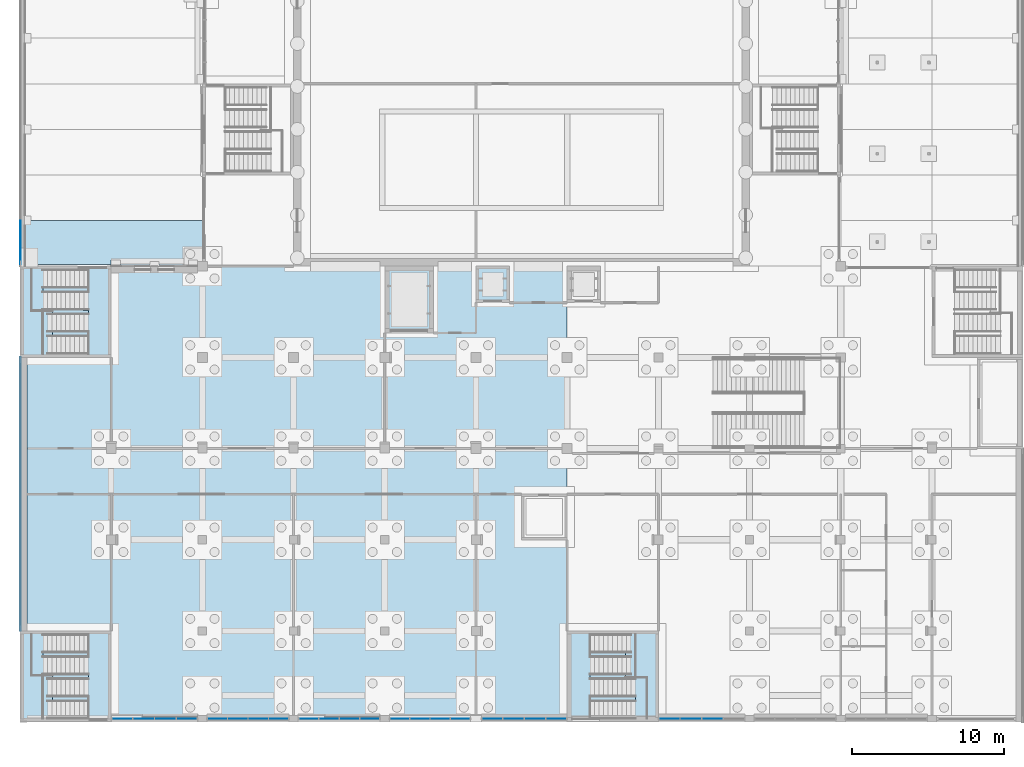
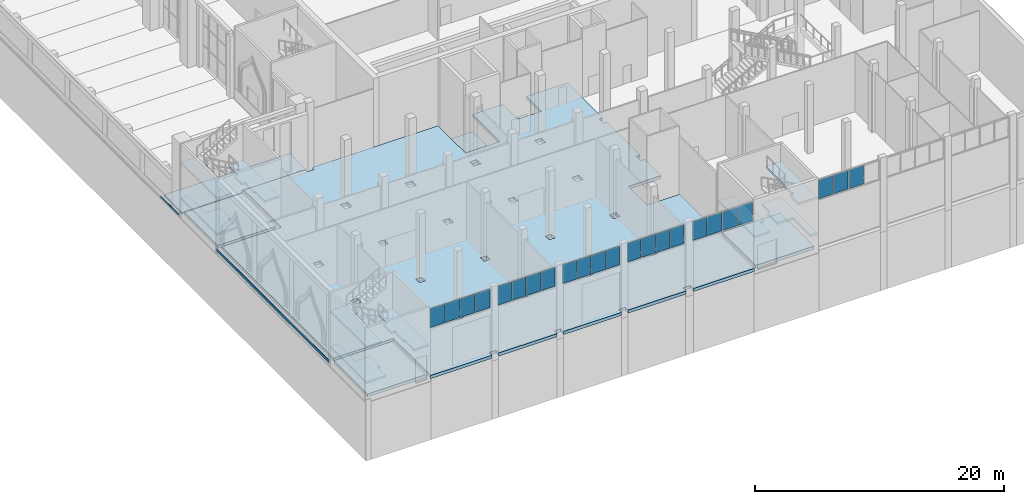
# One storey, part 28 of 95: 23 plates, 18 slabs, 9 elements without a shape of their own.
"""IFC4 building model written with IfcOpenShell, lengths in metres."""

from ifc_helpers import new_model, si_unit, direction, frame, origin, origin_2d, place, context, subcontext, project, spatial, polyline, rectangle, outline, extrude, material, layer, layer_set, type_object, element, aggregate, save


model = new_model("IFC4")

# Units and contexts
model_context = context("Model", 3, precision=1e-05, world=origin(), true_north=direction((0.0, 1.0)))
body_context = subcontext(model_context, "Body", "Model", "MODEL_VIEW")
ifc_project = project(units=[si_unit("LENGTHUNIT", "METRE"), si_unit("AREAUNIT", "SQUARE_METRE"), si_unit("VOLUMEUNIT", "CUBIC_METRE"), si_unit("PLANEANGLEUNIT", "RADIAN"), si_unit("MASSUNIT", "GRAM", prefix="KILO")], contexts=[model_context])

# Site, building, storey
site_placement = place(None, origin())
site = spatial("IfcSite", under=ifc_project, at=site_placement, CompositionType="ELEMENT")
building_placement = place(site_placement, origin())
building = spatial("IfcBuilding", under=site, at=building_placement, Name="Saffron Lane Theatres", CompositionType="ELEMENT")
storey_placement = place(building_placement, origin())
storey = spatial("IfcBuildingStorey", under=building, at=storey_placement, Name="L00", CompositionType="ELEMENT", Elevation=0.0)

# Curtain wall, plates
ifc_material_1 = material(Name="Aluminium", Category="aluminium")
curtain_wall_type_1 = type_object("IfcCurtainWallType", Name="EX-CURTAIN WALL 5700x1950x120", PredefinedType="NOTDEFINED", material=ifc_material_1)
curtain_wall_1_placement = place(storey_placement, origin())
curtain_wall_1 = element("IfcCurtainWall", 1, at=curtain_wall_1_placement, inside=storey, type_object=curtain_wall_type_1, Name="Curtain wall L00 11", PredefinedType="NOTDEFINED")
ifc_material_2 = material(Name="Glass", Category="glass")
ifc_layer_1 = layer(ifc_material_2, 0.02392578125)
ifc_layer_set_1 = layer_set([ifc_layer_1], Name="Glass")
plate_type = type_object("IfcPlateType", Name="EX-CW PANEL GLAZING 24", PredefinedType="CURTAIN_PANEL", material=ifc_layer_set_1)
plate_1_placement = place(storey_placement, frame((45.5625, 0.22509765625, 4.85986328125), z_axis=(0.0, 0.0, 1.0), x_axis=(-1.0, 0.0, 0.0)))
plate_1 = element("IfcPlate", 2, at=plate_1_placement, type_object=plate_type, Name="CW-00-11 panel 2.1", PredefinedType="CURTAIN_PANEL", context=body_context, shape_type="SweptSolid", body=[
    extrude(rectangle(XDim=1.364990234375, YDim=0.02392578125, at=origin_2d()), origin(), (0.0, 0.0, 1.0), 1.830078125),
])
plate_2_placement = place(storey_placement, frame((44.137451171875, 0.22509765625, 4.85986328125), z_axis=(0.0, 0.0, 1.0), x_axis=(-1.0, 0.0, 0.0)))
plate_2 = element("IfcPlate", 3, at=plate_2_placement, type_object=plate_type, Name="CW-00-11 panel 3.1", PredefinedType="CURTAIN_PANEL", context=body_context, shape_type="SweptSolid", body=[
    extrude(rectangle(XDim=1.364990234375, YDim=0.02392578125, at=origin_2d()), origin(), (0.0, 0.0, 1.0), 1.830078125),
])
plate_3_placement = place(storey_placement, frame((42.7275390625, 0.22509765625, 4.85986328125), z_axis=(0.0, 0.0, 1.0), x_axis=(-1.0, 0.0, 0.0)))
plate_3 = element("IfcPlate", 4, at=plate_3_placement, type_object=plate_type, Name="CW-00-11 panel 4.1", PredefinedType="CURTAIN_PANEL", context=body_context, shape_type="SweptSolid", body=[
    extrude(rectangle(XDim=1.3349609375, YDim=0.02392578125, at=origin_2d()), origin(), (0.0, 0.0, 1.0), 1.830078125),
])
aggregate(curtain_wall_1, [plate_1, plate_2, plate_3])

ifc_material_3 = material(Name="Aluminium", Category="aluminium")
curtain_wall_type_2 = type_object("IfcCurtainWallType", Name="EX-CURTAIN WALL 5650x1950x120", PredefinedType="NOTDEFINED", material=ifc_material_3)
curtain_wall_2_placement = place(storey_placement, origin())
curtain_wall_2 = element("IfcCurtainWall", 5, at=curtain_wall_2_placement, inside=storey, type_object=curtain_wall_type_2, Name="Curtain wall L00 12", PredefinedType="NOTDEFINED")
plate_4_placement = place(storey_placement, frame((35.27880859375, 0.22509765625, 4.85986328125), z_axis=(0.0, 0.0, 1.0), x_axis=(-1.0, 0.0, 0.0)))
plate_4 = element("IfcPlate", 6, at=plate_4_placement, type_object=plate_type, Name="CW-00-12 panel 1.1", PredefinedType="CURTAIN_PANEL", context=body_context, shape_type="SweptSolid", body=[
    extrude(rectangle(XDim=1.322509765625, YDim=0.02392578125, at=origin_2d()), origin(), (0.0, 0.0, 1.0), 1.830078125),
])
plate_5_placement = place(storey_placement, frame((33.88134765625, 0.22509765625, 4.85986328125), z_axis=(0.0, 0.0, 1.0), x_axis=(-1.0, 0.0, 0.0)))
plate_5 = element("IfcPlate", 7, at=plate_5_placement, type_object=plate_type, Name="CW-00-12 panel 2.1", PredefinedType="CURTAIN_PANEL", context=body_context, shape_type="SweptSolid", body=[
    extrude(rectangle(XDim=1.3525390625, YDim=0.02392578125, at=origin_2d()), origin(), (0.0, 0.0, 1.0), 1.830078125),
])
plate_6_placement = place(storey_placement, frame((32.46875, 0.22509765625, 4.85986328125), z_axis=(0.0, 0.0, 1.0), x_axis=(-1.0, 0.0, 0.0)))
plate_6 = element("IfcPlate", 8, at=plate_6_placement, type_object=plate_type, Name="CW-00-12 panel 3.1", PredefinedType="CURTAIN_PANEL", context=body_context, shape_type="SweptSolid", body=[
    extrude(rectangle(XDim=1.3525390625, YDim=0.02392578125, at=origin_2d()), origin(), (0.0, 0.0, 1.0), 1.830078125),
])
plate_7_placement = place(storey_placement, frame((31.0712890625, 0.22509765625, 4.85986328125), z_axis=(0.0, 0.0, 1.0), x_axis=(-1.0, 0.0, 0.0)))
plate_7 = element("IfcPlate", 9, at=plate_7_placement, type_object=plate_type, Name="CW-00-12 panel 4.1", PredefinedType="CURTAIN_PANEL", context=body_context, shape_type="SweptSolid", body=[
    extrude(rectangle(XDim=1.322509765625, YDim=0.02392578125, at=origin_2d()), origin(), (0.0, 0.0, 1.0), 1.830078125),
])
aggregate(curtain_wall_2, [plate_4, plate_5, plate_6, plate_7])

ifc_material_4 = material(Name="Aluminium", Category="aluminium")
curtain_wall_type_3 = type_object("IfcCurtainWallType", Name="EX-CURTAIN WALL 5350x1950x120", PredefinedType="NOTDEFINED", material=ifc_material_4)
curtain_wall_3_placement = place(storey_placement, origin())
curtain_wall_3 = element("IfcCurtainWall", 10, at=curtain_wall_3_placement, inside=storey, type_object=curtain_wall_type_3, Name="Curtain wall L00 13", PredefinedType="NOTDEFINED")
plate_8_placement = place(storey_placement, frame((28.966064453125, 0.22509765625, 4.85986328125), z_axis=(0.0, 0.0, 1.0), x_axis=(-1.0, 0.0, 0.0)))
plate_8 = element("IfcPlate", 11, at=plate_8_placement, type_object=plate_type, Name="CW-00-13 panel 1.1", PredefinedType="CURTAIN_PANEL", context=body_context, shape_type="SweptSolid", body=[
    extrude(rectangle(XDim=1.24755859375, YDim=0.02392578125, at=origin_2d()), origin(), (0.0, 0.0, 1.0), 1.830078125),
])
plate_9_placement = place(storey_placement, frame((27.643798828125, 0.22509765625, 4.85986328125), z_axis=(0.0, 0.0, 1.0), x_axis=(-1.0, 0.0, 0.0)))
plate_9 = element("IfcPlate", 12, at=plate_9_placement, type_object=plate_type, Name="CW-00-13 panel 2.1", PredefinedType="CURTAIN_PANEL", context=body_context, shape_type="SweptSolid", body=[
    extrude(rectangle(XDim=1.27734375, YDim=0.02392578125, at=origin_2d()), origin(), (0.0, 0.0, 1.0), 1.830078125),
])
plate_10_placement = place(storey_placement, frame((26.30615234375, 0.22509765625, 4.85986328125), z_axis=(0.0, 0.0, 1.0), x_axis=(-1.0, 0.0, 0.0)))
plate_10 = element("IfcPlate", 13, at=plate_10_placement, type_object=plate_type, Name="CW-00-13 panel 3.1", PredefinedType="CURTAIN_PANEL", context=body_context, shape_type="SweptSolid", body=[
    extrude(rectangle(XDim=1.27734375, YDim=0.02392578125, at=origin_2d()), origin(), (0.0, 0.0, 1.0), 1.830078125),
])
plate_11_placement = place(storey_placement, frame((24.98388671875, 0.22509765625, 4.85986328125), z_axis=(0.0, 0.0, 1.0), x_axis=(-1.0, 0.0, 0.0)))
plate_11 = element("IfcPlate", 14, at=plate_11_placement, type_object=plate_type, Name="CW-00-13 panel 4.1", PredefinedType="CURTAIN_PANEL", context=body_context, shape_type="SweptSolid", body=[
    extrude(rectangle(XDim=1.24755859375, YDim=0.02392578125, at=origin_2d()), origin(), (0.0, 0.0, 1.0), 1.830078125),
])
aggregate(curtain_wall_3, [plate_8, plate_9, plate_10, plate_11])

ifc_material_5 = material(Name="Aluminium", Category="aluminium")
curtain_wall_type_4 = type_object("IfcCurtainWallType", Name="EX-CURTAIN WALL 5400x1950x120", PredefinedType="NOTDEFINED", material=ifc_material_5)
curtain_wall_4_placement = place(storey_placement, origin())
curtain_wall_4 = element("IfcCurtainWall", 15, at=curtain_wall_4_placement, inside=storey, type_object=curtain_wall_type_4, Name="Curtain wall L00 14", PredefinedType="NOTDEFINED")
plate_12_placement = place(storey_placement, frame((23.010009765625, 0.22509765625, 4.85986328125), z_axis=(0.0, 0.0, 1.0), x_axis=(-1.0, 0.0, 0.0)))
plate_12 = element("IfcPlate", 16, at=plate_12_placement, type_object=plate_type, Name="CW-00-14 panel 1.1", PredefinedType="CURTAIN_PANEL", context=body_context, shape_type="SweptSolid", body=[
    extrude(rectangle(XDim=1.260009765625, YDim=0.02392578125, at=origin_2d()), origin(), (0.0, 0.0, 1.0), 1.830078125),
])
plate_13_placement = place(storey_placement, frame((21.675048828125, 0.22509765625, 4.85986328125), z_axis=(0.0, 0.0, 1.0), x_axis=(-1.0, 0.0, 0.0)))
plate_13 = element("IfcPlate", 17, at=plate_13_placement, type_object=plate_type, Name="CW-00-14 panel 2.1", PredefinedType="CURTAIN_PANEL", context=body_context, shape_type="SweptSolid", body=[
    extrude(rectangle(XDim=1.2900390625, YDim=0.02392578125, at=origin_2d()), origin(), (0.0, 0.0, 1.0), 1.830078125),
])
plate_14_placement = place(storey_placement, frame((20.324951171875, 0.22509765625, 4.85986328125), z_axis=(0.0, 0.0, 1.0), x_axis=(-1.0, 0.0, 0.0)))
plate_14 = element("IfcPlate", 18, at=plate_14_placement, type_object=plate_type, Name="CW-00-14 panel 3.1", PredefinedType="CURTAIN_PANEL", context=body_context, shape_type="SweptSolid", body=[
    extrude(rectangle(XDim=1.2900390625, YDim=0.02392578125, at=origin_2d()), origin(), (0.0, 0.0, 1.0), 1.830078125),
])
plate_15_placement = place(storey_placement, frame((18.989990234375, 0.22509765625, 4.85986328125), z_axis=(0.0, 0.0, 1.0), x_axis=(-1.0, 0.0, 0.0)))
plate_15 = element("IfcPlate", 19, at=plate_15_placement, type_object=plate_type, Name="CW-00-14 panel 4.1", PredefinedType="CURTAIN_PANEL", context=body_context, shape_type="SweptSolid", body=[
    extrude(rectangle(XDim=1.260009765625, YDim=0.02392578125, at=origin_2d()), origin(), (0.0, 0.0, 1.0), 1.830078125),
])
aggregate(curtain_wall_4, [plate_12, plate_13, plate_14, plate_15])

curtain_wall_5_placement = place(storey_placement, origin())
curtain_wall_5 = element("IfcCurtainWall", 20, at=curtain_wall_5_placement, inside=storey, type_object=curtain_wall_type_4, Name="Curtain wall L00 15", PredefinedType="NOTDEFINED")
plate_16_placement = place(storey_placement, frame((17.010009765625, 0.22509765625, 4.85986328125), z_axis=(0.0, 0.0, 1.0), x_axis=(-1.0, 0.0, 0.0)))
plate_16 = element("IfcPlate", 21, at=plate_16_placement, type_object=plate_type, Name="CW-00-15 panel 1.1", PredefinedType="CURTAIN_PANEL", context=body_context, shape_type="SweptSolid", body=[
    extrude(rectangle(XDim=1.260009765625, YDim=0.02392578125, at=origin_2d()), origin(), (0.0, 0.0, 1.0), 1.830078125),
])
plate_17_placement = place(storey_placement, frame((15.675048828125, 0.22509765625, 4.85986328125), z_axis=(0.0, 0.0, 1.0), x_axis=(-1.0, 0.0, 0.0)))
plate_17 = element("IfcPlate", 22, at=plate_17_placement, type_object=plate_type, Name="CW-00-15 panel 2.1", PredefinedType="CURTAIN_PANEL", context=body_context, shape_type="SweptSolid", body=[
    extrude(rectangle(XDim=1.2900390625, YDim=0.02392578125, at=origin_2d()), origin(), (0.0, 0.0, 1.0), 1.830078125),
])
plate_18_placement = place(storey_placement, frame((14.324951171875, 0.22509765625, 4.85986328125), z_axis=(0.0, 0.0, 1.0), x_axis=(-1.0, 0.0, 0.0)))
plate_18 = element("IfcPlate", 23, at=plate_18_placement, type_object=plate_type, Name="CW-00-15 panel 3.1", PredefinedType="CURTAIN_PANEL", context=body_context, shape_type="SweptSolid", body=[
    extrude(rectangle(XDim=1.2900390625, YDim=0.02392578125, at=origin_2d()), origin(), (0.0, 0.0, 1.0), 1.830078125),
])
plate_19_placement = place(storey_placement, frame((12.989990234375, 0.22509765625, 4.85986328125), z_axis=(0.0, 0.0, 1.0), x_axis=(-1.0, 0.0, 0.0)))
plate_19 = element("IfcPlate", 24, at=plate_19_placement, type_object=plate_type, Name="CW-00-15 panel 4.1", PredefinedType="CURTAIN_PANEL", context=body_context, shape_type="SweptSolid", body=[
    extrude(rectangle(XDim=1.260009765625, YDim=0.02392578125, at=origin_2d()), origin(), (0.0, 0.0, 1.0), 1.830078125),
])
aggregate(curtain_wall_5, [plate_16, plate_17, plate_18, plate_19])

curtain_wall_6_placement = place(storey_placement, origin())
curtain_wall_6 = element("IfcCurtainWall", 25, at=curtain_wall_6_placement, inside=storey, type_object=curtain_wall_type_1, Name="Curtain wall L00 16", PredefinedType="NOTDEFINED")
plate_20_placement = place(storey_placement, frame((10.972412109375, 0.22509765625, 4.85986328125), z_axis=(0.0, 0.0, 1.0), x_axis=(-1.0, 0.0, 0.0)))
plate_20 = element("IfcPlate", 26, at=plate_20_placement, type_object=plate_type, Name="CW-00-16 panel 1.1", PredefinedType="CURTAIN_PANEL", context=body_context, shape_type="SweptSolid", body=[
    extrude(rectangle(XDim=1.3349609375, YDim=0.02392578125, at=origin_2d()), origin(), (0.0, 0.0, 1.0), 1.830078125),
])
plate_21_placement = place(storey_placement, frame((9.5625, 0.22509765625, 4.85986328125), z_axis=(0.0, 0.0, 1.0), x_axis=(-1.0, 0.0, 0.0)))
plate_21 = element("IfcPlate", 27, at=plate_21_placement, type_object=plate_type, Name="CW-00-16 panel 2.1", PredefinedType="CURTAIN_PANEL", context=body_context, shape_type="SweptSolid", body=[
    extrude(rectangle(XDim=1.364990234375, YDim=0.02392578125, at=origin_2d()), origin(), (0.0, 0.0, 1.0), 1.830078125),
])
plate_22_placement = place(storey_placement, frame((8.137451171875, 0.22509765625, 4.85986328125), z_axis=(0.0, 0.0, 1.0), x_axis=(-1.0, 0.0, 0.0)))
plate_22 = element("IfcPlate", 28, at=plate_22_placement, type_object=plate_type, Name="CW-00-16 panel 3.1", PredefinedType="CURTAIN_PANEL", context=body_context, shape_type="SweptSolid", body=[
    extrude(rectangle(XDim=1.364990234375, YDim=0.02392578125, at=origin_2d()), origin(), (0.0, 0.0, 1.0), 1.830078125),
])
plate_23_placement = place(storey_placement, frame((6.7275390625, 0.22509765625, 4.85986328125), z_axis=(0.0, 0.0, 1.0), x_axis=(-1.0, 0.0, 0.0)))
plate_23 = element("IfcPlate", 29, at=plate_23_placement, type_object=plate_type, Name="CW-00-16 panel 4.1", PredefinedType="CURTAIN_PANEL", context=body_context, shape_type="SweptSolid", body=[
    extrude(rectangle(XDim=1.3349609375, YDim=0.02392578125, at=origin_2d()), origin(), (0.0, 0.0, 1.0), 1.830078125),
])
aggregate(curtain_wall_6, [plate_20, plate_21, plate_22, plate_23])

# Slabs
ifc_material_6 = material(Name="Masonry sandstone paving", Category="masonry")
ifc_layer_2 = layer(ifc_material_6, 0.14990234375)
ifc_layer_set_2 = layer_set([ifc_layer_2], Name="Masonry sandstone paving")
slab_type_1 = type_object("IfcSlabType", Name="EX-PAVING SANDSTONE 150", PredefinedType="USERDEFINED", material=ifc_layer_set_2)
slab_1_placement = place(storey_placement, frame((0.0, 0.0, -0.14990234375)))
element("IfcSlab", 30, at=slab_1_placement, inside=storey, type_object=slab_type_1, Name="West court paving 1", ObjectType="PAVING", PredefinedType="USERDEFINED", context=body_context, shape_type="SweptSolid", body=[
    extrude(outline(polyline([(11.99609375, 30.3291015625), (11.99609375, 33.0), (0.31396484375, 33.0), (0.31396484375, 30.1201171875), (5.99609375, 30.1201171875), (5.99609375, 30.39990234375), (5.99609375, 30.400390625), (5.99609375, 30.40087890625), (5.99609375, 30.401123046875), (5.996337890625, 30.401611328125), (5.99658203125, 30.40185546875), (5.99658203125, 30.40234375), (5.996826171875, 30.402587890625), (5.9970703125, 30.40283203125), (5.99755859375, 30.403076171875), (5.997802734375, 30.4033203125), (5.998046875, 30.403564453125), (5.99853515625, 30.40380859375), (5.998779296875, 30.40380859375), (5.999267578125, 30.40380859375), (5.99951171875, 30.404052734375), (6.0, 30.404052734375), (6.60009765625, 30.404052734375), (6.600341796875, 30.404052734375), (6.600830078125, 30.40380859375), (6.60107421875, 30.40380859375), (6.6015625, 30.40380859375), (6.601806640625, 30.403564453125), (6.602294921875, 30.4033203125), (6.6025390625, 30.403076171875), (6.602783203125, 30.40283203125), (6.60302734375, 30.402587890625), (6.603271484375, 30.40234375), (6.603515625, 30.40185546875), (6.603759765625, 30.401611328125), (6.603759765625, 30.401123046875), (6.60400390625, 30.40087890625), (6.60400390625, 30.400390625), (6.60400390625, 30.39990234375), (6.60400390625, 30.0439453125), (8.533935546875, 30.0439453125), (8.533935546875, 30.300048828125), (8.533935546875, 30.30029296875), (8.5341796875, 30.30078125), (8.5341796875, 30.30126953125), (8.534423828125, 30.301513671875), (8.534423828125, 30.302001953125), (8.53466796875, 30.30224609375), (8.534912109375, 30.302490234375), (8.53515625, 30.302734375), (8.535400390625, 30.302978515625), (8.535888671875, 30.30322265625), (8.5361328125, 30.303466796875), (8.536376953125, 30.3037109375), (8.536865234375, 30.3037109375), (8.537109375, 30.303955078125), (8.53759765625, 30.303955078125), (8.5380859375, 30.303955078125), (9.137939453125, 30.303955078125), (9.138427734375, 30.303955078125), (9.138671875, 30.303955078125), (9.13916015625, 30.3037109375), (9.1396484375, 30.3037109375), (9.139892578125, 30.303466796875), (9.14013671875, 30.30322265625), (9.140625, 30.302978515625), (9.140869140625, 30.302734375), (9.14111328125, 30.302490234375), (9.141357421875, 30.30224609375), (9.1416015625, 30.302001953125), (9.1416015625, 30.301513671875), (9.141845703125, 30.30126953125), (9.141845703125, 30.30078125), (9.14208984375, 30.30029296875), (9.14208984375, 30.300048828125), (9.14208984375, 30.0439453125), (11.071044921875, 30.0439453125), (11.071044921875, 30.39990234375), (11.071044921875, 30.400390625), (11.071044921875, 30.40087890625), (11.0712890625, 30.401123046875), (11.0712890625, 30.401611328125), (11.071533203125, 30.40185546875), (11.07177734375, 30.40234375), (11.072021484375, 30.402587890625), (11.072265625, 30.40283203125), (11.072509765625, 30.403076171875), (11.07275390625, 30.4033203125), (11.072998046875, 30.403564453125), (11.073486328125, 30.40380859375), (11.07373046875, 30.40380859375), (11.07421875, 30.40380859375), (11.07470703125, 30.404052734375), (11.074951171875, 30.404052734375), (11.675048828125, 30.404052734375), (11.67529296875, 30.404052734375), (11.67578125, 30.40380859375), (11.67626953125, 30.40380859375), (11.676513671875, 30.40380859375), (11.677001953125, 30.403564453125), (11.67724609375, 30.4033203125), (11.677490234375, 30.403076171875), (11.677734375, 30.40283203125), (11.677978515625, 30.402587890625), (11.67822265625, 30.40234375), (11.678466796875, 30.40185546875), (11.6787109375, 30.401611328125), (11.6787109375, 30.401123046875), (11.678955078125, 30.40087890625), (11.678955078125, 30.400390625), (11.678955078125, 30.39990234375), (11.678955078125, 30.3291015625), (11.99609375, 30.3291015625)])), origin(), (0.0, 0.0, 1.0), 0.14990234375),
])
slab_2_placement = place(storey_placement, frame((0.0, 0.0, -0.14990234375)))
element("IfcSlab", 31, at=slab_2_placement, inside=storey, type_object=slab_type_1, Name="West court paving 2", ObjectType="PAVING", PredefinedType="USERDEFINED", context=body_context, shape_type="SweptSolid", body=[
    extrude(outline(polyline([(0.055908203125, 30.1201171875), (0.055908203125, 33.0), (0.0, 33.0), (0.0, 30.1201171875), (0.055908203125, 30.1201171875)])), origin(), (0.0, 0.0, 1.0), 0.14990234375),
])
ifc_material_7 = material(Name="Concrete N40 (40 MPa)", Category="concrete")
ifc_layer_3 = layer(ifc_material_7, 0.300048828125)
ifc_layer_set_3 = layer_set([ifc_layer_3], Name="Concrete N40 (40 MPa)")
slab_type_2 = type_object("IfcSlabType", Name="RC-SLAB BASE 300", PredefinedType="BASESLAB", material=ifc_layer_set_3)
slab_3_placement = place(storey_placement, origin())
element("IfcSlab", 32, at=slab_3_placement, inside=storey, type_object=slab_type_2, Name="slab-L00-WORKSHOP-1", PredefinedType="BASESLAB", context=body_context, shape_type="SweptSolid", body=[
    extrude(outline(polyline([(30.35205078125, 0.50244140625), (30.35205078125, 0.00048828125), (36.0, 0.00048828125), (36.0, 6.0), (36.0, 12.0), (33.0, 12.0), (33.0, 15.0), (36.0, 15.0), (36.0, 17.673095703125), (35.673095703125, 17.673095703125), (35.673095703125, 18.326904296875), (36.0, 18.326904296875), (36.0, 23.673095703125), (35.673095703125, 23.673095703125), (35.673095703125, 24.326904296875), (36.0, 24.326904296875), (36.0, 27.60009765625), (36.0, 30.0), (32.199951171875, 30.0), (32.199951171875, 27.60009765625), (30.0, 27.60009765625), (30.0, 30.0), (27.199951171875, 30.0), (27.199951171875, 25.60009765625), (24.0, 25.60009765625), (24.0, 30.0), (18.5, 30.0), (18.0, 30.0), (12.326904296875, 30.0), (12.326904296875, 29.673095703125), (11.673095703125, 29.673095703125), (11.673095703125, 30.0), (6.0, 30.0), (6.0, 24.0), (0.4599609375, 24.0), (0.4599609375, 6.0), (6.0, 6.0), (6.0, 0.00048828125), (11.697998046875, 0.00048828125), (11.697998046875, 0.452392578125), (12.302001953125, 0.452392578125), (12.302001953125, 0.00048828125), (17.697998046875, 0.00048828125), (17.697998046875, 0.452392578125), (18.302001953125, 0.452392578125), (18.302001953125, 0.00048828125), (23.697998046875, 0.00048828125), (23.697998046875, 0.452392578125), (24.302001953125, 0.452392578125), (24.302001953125, 0.00048828125), (29.64794921875, 0.00048828125), (29.64794921875, 0.50244140625), (30.35205078125, 0.50244140625)]), holes=[polyline([(29.673095703125, 23.673095703125), (29.673095703125, 24.326904296875), (30.326904296875, 24.326904296875), (30.326904296875, 23.673095703125), (29.673095703125, 23.673095703125)]), polyline([(29.673095703125, 17.673095703125), (29.673095703125, 18.326904296875), (30.326904296875, 18.326904296875), (30.326904296875, 17.673095703125), (29.673095703125, 17.673095703125)]), polyline([(29.697998046875, 11.697998046875), (29.697998046875, 12.302001953125), (30.302001953125, 12.302001953125), (30.302001953125, 11.697998046875), (29.697998046875, 11.697998046875)]), polyline([(29.697998046875, 5.697998046875), (29.697998046875, 6.302001953125), (30.302001953125, 6.302001953125), (30.302001953125, 5.697998046875), (29.697998046875, 5.697998046875)]), polyline([(23.673095703125, 23.673095703125), (23.673095703125, 24.326904296875), (24.326904296875, 24.326904296875), (24.326904296875, 23.673095703125), (23.673095703125, 23.673095703125)]), polyline([(23.697998046875, 18.302001953125), (24.302001953125, 18.302001953125), (24.302001953125, 17.697998046875), (23.697998046875, 17.697998046875), (23.697998046875, 18.302001953125)]), polyline([(23.722900390625, 11.722900390625), (23.722900390625, 12.277099609375), (24.277099609375, 12.277099609375), (24.277099609375, 11.722900390625), (23.722900390625, 11.722900390625)]), polyline([(23.722900390625, 6.277099609375), (24.277099609375, 6.277099609375), (24.277099609375, 5.722900390625), (23.722900390625, 5.722900390625), (23.722900390625, 6.277099609375)]), polyline([(17.673095703125, 23.673095703125), (17.673095703125, 24.326904296875), (18.326904296875, 24.326904296875), (18.326904296875, 23.673095703125), (17.673095703125, 23.673095703125)]), polyline([(17.697998046875, 18.302001953125), (18.302001953125, 18.302001953125), (18.302001953125, 17.697998046875), (17.697998046875, 17.697998046875), (17.697998046875, 18.302001953125)]), polyline([(17.722900390625, 12.277099609375), (18.277099609375, 12.277099609375), (18.277099609375, 11.722900390625), (17.722900390625, 11.722900390625), (17.722900390625, 12.277099609375)]), polyline([(17.722900390625, 5.722900390625), (17.722900390625, 6.277099609375), (18.277099609375, 6.277099609375), (18.277099609375, 5.722900390625), (17.722900390625, 5.722900390625)]), polyline([(11.673095703125, 24.326904296875), (12.326904296875, 24.326904296875), (12.326904296875, 23.673095703125), (11.673095703125, 23.673095703125), (11.673095703125, 24.326904296875)]), polyline([(11.697998046875, 17.697998046875), (11.697998046875, 18.302001953125), (12.302001953125, 18.302001953125), (12.302001953125, 17.697998046875), (11.697998046875, 17.697998046875)]), polyline([(11.722900390625, 12.277099609375), (12.277099609375, 12.277099609375), (12.277099609375, 11.722900390625), (11.722900390625, 11.722900390625), (11.722900390625, 12.277099609375)]), polyline([(11.722900390625, 5.722900390625), (11.722900390625, 6.277099609375), (12.277099609375, 6.277099609375), (12.277099609375, 5.722900390625), (11.722900390625, 5.722900390625)]), polyline([(5.673095703125, 17.673095703125), (5.673095703125, 18.326904296875), (6.326904296875, 18.326904296875), (6.326904296875, 17.673095703125), (5.673095703125, 17.673095703125)]), polyline([(5.697998046875, 12.302001953125), (6.302001953125, 12.302001953125), (6.302001953125, 11.697998046875), (5.697998046875, 11.697998046875), (5.697998046875, 12.302001953125)])]), origin(), (0.0, 0.0, 1.0), 0.300048828125),
])
slab_4_placement = place(storey_placement, origin())
element("IfcSlab", 33, at=slab_4_placement, inside=storey, type_object=slab_type_2, Name="slab-L00-WORKSHOP-2", PredefinedType="BASESLAB", context=body_context, shape_type="SweptSolid", body=[
    extrude(outline(polyline([(0.06005859375, 24.0), (0.00048828125, 24.0), (0.00048828125, 6.0), (0.06005859375, 6.0), (0.06005859375, 24.0)])), origin(), (0.0, 0.0, 1.0), 0.300048828125),
])
slab_5_placement = place(storey_placement, origin())
element("IfcSlab", 34, at=slab_5_placement, inside=storey, type_object=slab_type_2, Name="slab-L00-core-ST7", PredefinedType="BASESLAB", context=body_context, shape_type="SweptSolid", body=[
    extrude(outline(polyline([(0.300048828125, 0.300048828125), (5.699951171875, 0.300048828125), (5.699951171875, 5.699951171875), (0.300048828125, 5.699951171875), (0.300048828125, 0.300048828125)])), origin(), (0.0, 0.0, 1.0), 0.300048828125),
])
slab_6_placement = place(storey_placement, origin())
element("IfcSlab", 35, at=slab_6_placement, inside=storey, type_object=slab_type_2, Name="slab-L00-core-ST9", PredefinedType="BASESLAB", context=body_context, shape_type="SweptSolid", body=[
    extrude(outline(polyline([(36.300048828125, 0.300048828125), (41.699951171875, 0.300048828125), (41.699951171875, 5.699951171875), (36.300048828125, 5.699951171875), (36.300048828125, 0.300048828125)])), origin(), (0.0, 0.0, 1.0), 0.300048828125),
])
slab_7_placement = place(storey_placement, origin())
element("IfcSlab", 36, at=slab_7_placement, inside=storey, type_object=slab_type_2, Name="slab-L00-core-ST12", PredefinedType="BASESLAB", context=body_context, shape_type="SweptSolid", body=[
    extrude(outline(polyline([(0.300048828125, 24.300048828125), (5.699951171875, 24.300048828125), (5.699951171875, 29.699951171875), (0.300048828125, 29.699951171875), (0.300048828125, 24.300048828125)])), origin(), (0.0, 0.0, 1.0), 0.300048828125),
])
slab_8_placement = place(storey_placement, frame((0.0, 0.0, -1.699951171875)))
element("IfcSlab", 37, at=slab_8_placement, inside=storey, type_object=slab_type_2, Name="slab-pit-LC5", PredefinedType="BASESLAB", context=body_context, shape_type="SweptSolid", body=[
    extrude(outline(polyline([(30.0, 27.60009765625), (32.199951171875, 27.60009765625), (32.199951171875, 30.0), (30.0, 30.0), (30.0, 27.60009765625)])), origin(), (0.0, 0.0, 1.0), 0.300048828125),
])
ifc_material_8 = material(Name="Concrete N40 (40 MPa)", Category="concrete")
ifc_layer_4 = layer(ifc_material_8, 0.60009765625)
ifc_layer_set_4 = layer_set([ifc_layer_4], Name="Concrete N40 (40 MPa)")
slab_type_3 = type_object("IfcSlabType", Name="RC-SLAB LIFT PIT 600", PredefinedType="BASESLAB", material=ifc_layer_set_4)
slab_9_placement = place(storey_placement, frame((0.0, 0.0, -2.0)))
element("IfcSlab", 38, at=slab_9_placement, inside=storey, type_object=slab_type_3, Name="slab-pit-LG1", PredefinedType="BASESLAB", context=body_context, shape_type="SweptSolid", body=[
    extrude(outline(polyline([(24.0, 25.60009765625), (27.199951171875, 25.60009765625), (27.199951171875, 30.0), (24.0, 30.0), (24.0, 25.60009765625)])), origin(), (0.0, 0.0, 1.0), 0.60009765625),
])

# Stair, slabs
ifc_material_9 = material(Name="Concrete N40 (40 MPa)", Category="concrete")
stair_type = type_object("IfcStairType", Name="VC-STAIR EXIT", PredefinedType="TWO_STRAIGHT_RUN_STAIR", material=ifc_material_9)
stair_1_placement = place(storey_placement, origin())
stair_1 = element("IfcStair", 39, at=stair_1_placement, inside=storey, type_object=stair_type, Name="Workshop South West Stair L00 to L01", PredefinedType="TWO_STRAIGHT_RUN_STAIR")
ifc_material_10 = material(Name="Concrete N40 (40 MPa)", Category="concrete")
ifc_layer_5 = layer(ifc_material_10, 0.199951171875)
ifc_layer_set_5 = layer_set([ifc_layer_5], Name="Concrete N40 (40 MPa)")
slab_type_4 = type_object("IfcSlabType", Name="VC-LANDING 200", PredefinedType="LANDING", material=ifc_layer_set_5)
slab_10_placement = place(storey_placement, frame((0.0, 0.0, 1.466552734375)))
slab_10 = element("IfcSlab", 40, at=slab_10_placement, type_object=slab_type_4, Name="ST25 landing 1", PredefinedType="LANDING", context=body_context, shape_type="SweptSolid", body=[
    extrude(outline(polyline([(2.14990234375, 3.10009765625), (2.14990234375, 1.449951171875), (1.89990234375, 1.449951171875), (1.89990234375, 0.10009765625), (0.10009765625, 0.10009765625), (0.10009765625, 5.89990234375), (0.75, 5.89990234375), (0.75, 3.10009765625), (2.14990234375, 3.10009765625)])), origin(), (0.0, 0.0, 1.0), 0.2001953125),
])
slab_11_placement = place(storey_placement, frame((0.0, 0.0, 3.13330078125)))
slab_11 = element("IfcSlab", 41, at=slab_11_placement, type_object=slab_type_4, Name="ST25 landing 2", PredefinedType="LANDING", context=body_context, shape_type="SweptSolid", body=[
    extrude(outline(polyline([(4.5, 5.89990234375), (5.89990234375, 5.89990234375), (5.89990234375, 0.10009765625), (4.5, 0.10009765625), (4.5, 1.64990234375), (4.39990234375, 1.64990234375), (4.39990234375, 2.89990234375), (4.5, 2.89990234375), (4.5, 3.10009765625), (4.14990234375, 3.10009765625), (4.14990234375, 4.35009765625), (4.5, 4.35009765625), (4.5, 5.89990234375)])), origin(), (0.0, 0.0, 1.0), 0.199951171875),
])
slab_12_placement = place(storey_placement, frame((0.0, 0.0, 4.966552734375)))
slab_12 = element("IfcSlab", 42, at=slab_12_placement, type_object=slab_type_4, Name="ST25 landing 3", PredefinedType="LANDING", context=body_context, shape_type="SweptSolid", body=[
    extrude(outline(polyline([(1.5, 4.550048828125), (1.5, 4.35009765625), (1.60009765625, 4.35009765625), (1.60009765625, 3.10009765625), (1.5, 3.10009765625), (1.5, 0.10009765625), (0.10009765625, 0.10009765625), (0.10009765625, 5.89990234375), (1.85009765625, 5.89990234375), (1.85009765625, 4.550048828125), (1.5, 4.550048828125)])), origin(), (0.0, 0.0, 1.0), 0.2001953125),
])
aggregate(stair_1, [slab_10, slab_11, slab_12])

stair_2_placement = place(storey_placement, origin())
stair_2 = element("IfcStair", 43, at=stair_2_placement, inside=storey, type_object=stair_type, Name="Studio South Stair L00 to L01", PredefinedType="TWO_STRAIGHT_RUN_STAIR")
slab_13_placement = place(storey_placement, frame((0.0, 0.0, 1.466552734375)))
slab_13 = element("IfcSlab", 44, at=slab_13_placement, type_object=slab_type_4, Name="ST27 landing 1", PredefinedType="LANDING", context=body_context, shape_type="SweptSolid", body=[
    extrude(outline(polyline([(39.85009765625, 2.89990234375), (39.85009765625, 4.550048828125), (40.10009765625, 4.550048828125), (40.10009765625, 5.89990234375), (41.89990234375, 5.89990234375), (41.89990234375, 0.10009765625), (41.25, 0.10009765625), (41.25, 2.89990234375), (39.85009765625, 2.89990234375)])), origin(), (0.0, 0.0, 1.0), 0.2001953125),
])
slab_14_placement = place(storey_placement, frame((0.0, 0.0, 3.13330078125)))
slab_14 = element("IfcSlab", 45, at=slab_14_placement, type_object=slab_type_4, Name="ST27 landing 2", PredefinedType="LANDING", context=body_context, shape_type="SweptSolid", body=[
    extrude(outline(polyline([(37.5, 0.10009765625), (36.10009765625, 0.10009765625), (36.10009765625, 5.89990234375), (37.5, 5.89990234375), (37.5, 4.35009765625), (37.60009765625, 4.35009765625), (37.60009765625, 3.10009765625), (37.5, 3.10009765625), (37.5, 2.89990234375), (37.85009765625, 2.89990234375), (37.85009765625, 1.64990234375), (37.5, 1.64990234375), (37.5, 0.10009765625)])), origin(), (0.0, 0.0, 1.0), 0.199951171875),
])
slab_15_placement = place(storey_placement, frame((0.0, 0.0, 4.966552734375)))
slab_15 = element("IfcSlab", 46, at=slab_15_placement, type_object=slab_type_4, Name="ST27 landing 3", PredefinedType="LANDING", context=body_context, shape_type="SweptSolid", body=[
    extrude(outline(polyline([(40.5, 1.449951171875), (40.5, 1.64990234375), (40.39990234375, 1.64990234375), (40.39990234375, 2.89990234375), (40.5, 2.89990234375), (40.5, 5.89990234375), (41.89990234375, 5.89990234375), (41.89990234375, 0.10009765625), (40.14990234375, 0.10009765625), (40.14990234375, 1.449951171875), (40.5, 1.449951171875)])), origin(), (0.0, 0.0, 1.0), 0.2001953125),
])
aggregate(stair_2, [slab_13, slab_14, slab_15])

stair_3_placement = place(storey_placement, origin())
stair_3 = element("IfcStair", 47, at=stair_3_placement, inside=storey, type_object=stair_type, Name="Workshop North Stair L00 to L01", PredefinedType="TWO_STRAIGHT_RUN_STAIR")
slab_16_placement = place(storey_placement, frame((0.0, 0.0, 1.466552734375)))
slab_16 = element("IfcSlab", 48, at=slab_16_placement, type_object=slab_type_4, Name="ST29 landing 1", PredefinedType="LANDING", context=body_context, shape_type="SweptSolid", body=[
    extrude(outline(polyline([(2.14990234375, 27.10009765625), (2.14990234375, 25.449951171875), (1.89990234375, 25.449951171875), (1.89990234375, 24.10009765625), (0.10009765625, 24.10009765625), (0.10009765625, 29.89990234375), (0.75, 29.89990234375), (0.75, 27.10009765625), (2.14990234375, 27.10009765625)])), origin(), (0.0, 0.0, 1.0), 0.2001953125),
])
slab_17_placement = place(storey_placement, frame((0.0, 0.0, 3.13330078125)))
slab_17 = element("IfcSlab", 49, at=slab_17_placement, type_object=slab_type_4, Name="ST29 landing 2", PredefinedType="LANDING", context=body_context, shape_type="SweptSolid", body=[
    extrude(outline(polyline([(4.5, 29.89990234375), (5.89990234375, 29.89990234375), (5.89990234375, 24.10009765625), (4.5, 24.10009765625), (4.5, 25.64990234375), (4.39990234375, 25.64990234375), (4.39990234375, 26.89990234375), (4.5, 26.89990234375), (4.5, 27.10009765625), (4.14990234375, 27.10009765625), (4.14990234375, 28.35009765625), (4.5, 28.35009765625), (4.5, 29.89990234375)])), origin(), (0.0, 0.0, 1.0), 0.199951171875),
])
slab_18_placement = place(storey_placement, frame((0.0, 0.0, 4.966552734375)))
slab_18 = element("IfcSlab", 50, at=slab_18_placement, type_object=slab_type_4, Name="ST29 landing 3", PredefinedType="LANDING", context=body_context, shape_type="SweptSolid", body=[
    extrude(outline(polyline([(1.5, 28.550048828125), (1.5, 28.35009765625), (1.60009765625, 28.35009765625), (1.60009765625, 27.10009765625), (1.5, 27.10009765625), (1.5, 24.10009765625), (0.10009765625, 24.10009765625), (0.10009765625, 29.89990234375), (1.85009765625, 29.89990234375), (1.85009765625, 28.550048828125), (1.5, 28.550048828125)])), origin(), (0.0, 0.0, 1.0), 0.2001953125),
])
aggregate(stair_3, [slab_16, slab_17, slab_18])

save(model, "model.ifc")
